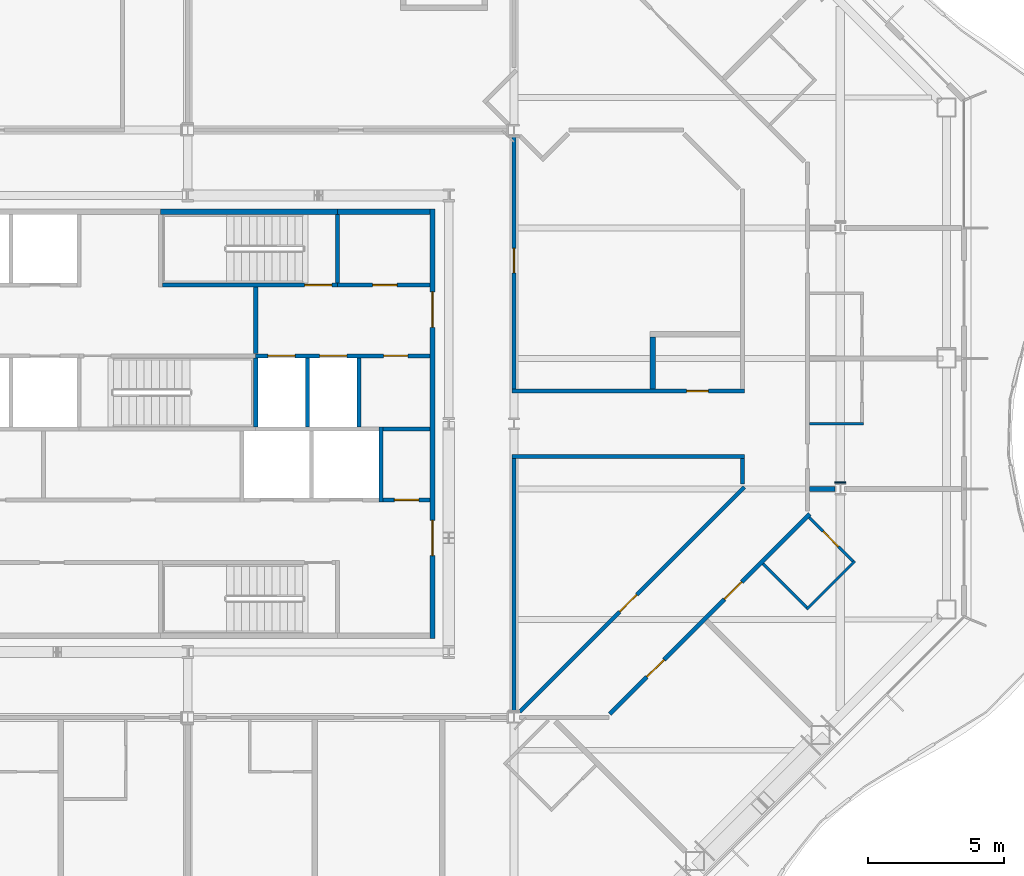
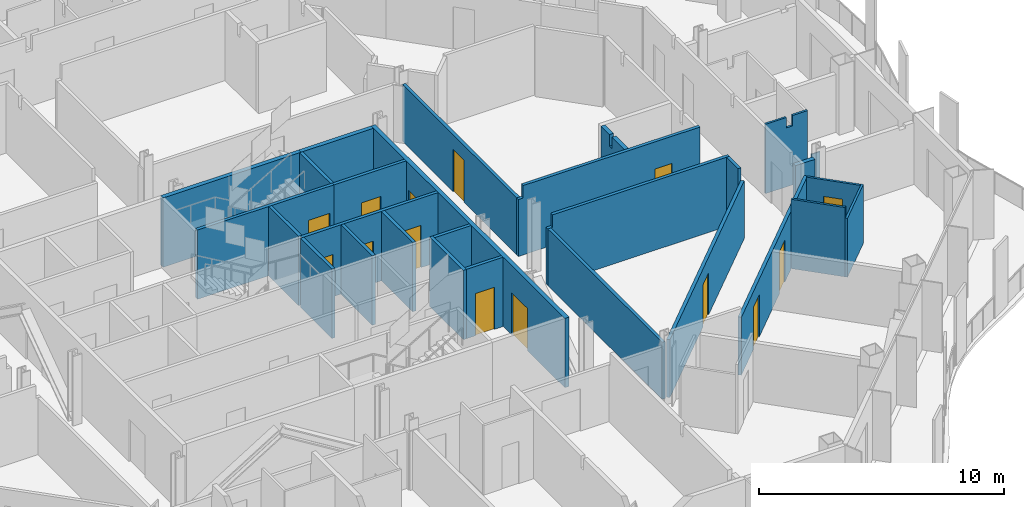
# One storey, part 10 of 21: 28 walls, 14 doors, 14 openings.
"""IFC4 building model written with IfcOpenShell, lengths in metres."""

from ifc_helpers import new_model, si_unit, direction, frame, frame_2d, origin, place, context, subcontext, project, spatial, polyline, rectangle, outline, extrude, material, layer, layer_set, type_object, element, fill, save


model = new_model("IFC4")

# Units and contexts
model_context = context("Model", 3, precision=1e-05, world=origin(), true_north=direction((0.0, 1.0)))
body_context = subcontext(model_context, "Body", "Model", "MODEL_VIEW")
ifc_project = project(units=[si_unit("LENGTHUNIT", "METRE"), si_unit("AREAUNIT", "SQUARE_METRE"), si_unit("VOLUMEUNIT", "CUBIC_METRE"), si_unit("PLANEANGLEUNIT", "RADIAN"), si_unit("MASSUNIT", "GRAM", prefix="KILO")], contexts=[model_context])

# Site, building, storey
site_placement = place(None, origin())
site = spatial("IfcSite", under=ifc_project, at=site_placement, CompositionType="ELEMENT")
building_placement = place(site_placement, origin())
building = spatial("IfcBuilding", under=site, at=building_placement, Name="Cairn Pilgrim Tower", CompositionType="ELEMENT")
storey_placement = place(building_placement, frame((0.0, 0.0, 139.800048828125)))
storey = spatial("IfcBuildingStorey", under=building, at=storey_placement, Name="L34", CompositionType="ELEMENT", Elevation=139.800048828125)

# Wall
ifc_material_1 = material(Name="Concrete C32/40", Category="concrete")
ifc_layer_1 = layer(ifc_material_1, 0.199951171875)
ifc_layer_set_1 = layer_set([ifc_layer_1], Name="CORE OUTER WALL 200 EI 120")
wall_type_1 = type_object("IfcWallType", Name="CORE OUTER WALL 200 EI 120", PredefinedType="SOLIDWALL", material=ifc_layer_set_1)
wall_1_placement = place(storey_placement, frame((12.699951171875, 10.199951171875, 0.0), z_axis=(0.0, 0.0, 1.0), x_axis=(1.0, 0.0, 0.0)))
element("IfcWall", 1, at=wall_1_placement, inside=storey, type_object=wall_type_1, Name="CW:L34:H12-3", PredefinedType="SOLIDWALL", context=body_context, shape_type="SweptSolid", body=[
    extrude(rectangle(XDim=3.400146484375, YDim=0.199951171875, at=frame_2d((1.7001953125, 0.0))), origin(), (0.0, 0.0, 1.0), 3.449951171875),
])

# Wall, openings, doors
wall_2_placement = place(storey_placement, frame((16.199951171875, -5.5, 0.0), z_axis=(0.0, 0.0, 1.0), x_axis=(0.0, 1.0, 0.0)))
wall_2 = element("IfcWall", 2, at=wall_2_placement, inside=storey, type_object=wall_type_1, Name="CW:L34:V30", PredefinedType="SOLIDWALL", context=body_context, shape_type="SweptSolid", body=[
    extrude(rectangle(XDim=15.800048828125, YDim=0.199951171875, at=frame_2d((7.89990234375, 0.0))), origin(), (0.0, 0.0, 1.0), 3.449951171875),
])
opening_1_placement = place(wall_2_placement, frame((3.050048828125, 0.0, 0.0)))
opening_1 = element("IfcOpeningElement", 3, at=opening_1_placement, cuts=wall_2, Name="Opening CD-E1", PredefinedType="OPENING", context=body_context, shape_type="SweptSolid", body=[
    extrude(rectangle(XDim=1.300048828125, YDim=2.10009765625, at=frame_2d((0.64990234375, 1.050048828125))), frame((0.0, 0.10986328125, 0.0), z_axis=(0.0, -1.0, 0.0), x_axis=(1.0, 0.0, 0.0)), (0.0, 0.0, 1.0), 0.219970703125),
])
opening_2_placement = place(wall_2_placement, frame((11.449951171875, 0.0, 0.0)))
opening_2 = element("IfcOpeningElement", 4, at=opening_2_placement, cuts=wall_2, Name="Opening CD-E2", PredefinedType="OPENING", context=body_context, shape_type="SweptSolid", body=[
    extrude(rectangle(XDim=1.300048828125, YDim=2.10009765625, at=frame_2d((0.64990234375, 1.050048828125))), frame((0.0, 0.10986328125, 0.0), z_axis=(0.0, -1.0, 0.0), x_axis=(1.0, 0.0, 0.0)), (0.0, 0.0, 1.0), 0.219970703125),
])
ifc_material_2 = material(Name="Painted steel", Category="steel")
door_type_1 = type_object("IfcDoorType", Name="CORE LOBBY DOOR 1300x2100", OperationType="DOUBLE_DOOR_SINGLE_SWING", PredefinedType="DOOR", material=ifc_material_2)
door_1_placement = place(opening_1_placement, origin())
door_1 = element("IfcDoor", 5, at=door_1_placement, inside=storey, type_object=door_type_1, Name="CD-E1", OperationType="DOUBLE_DOOR_SINGLE_SWING", OverallHeight=2.10009765625, OverallWidth=1.300048828125, PredefinedType="DOOR", context=body_context, shape_type="SweptSolid", body=[
    extrude(rectangle(XDim=1.300048828125, YDim=2.10009765625, at=frame_2d((0.64990234375, 1.050048828125))), frame((0.0, 0.02490234375, 0.0), z_axis=(0.0, -1.0, 0.0), x_axis=(1.0, 0.0, 0.0)), (0.0, 0.0, 1.0), 0.050048828125),
])
fill(opening_1, door_1)
door_2_placement = place(opening_2_placement, origin())
door_2 = element("IfcDoor", 6, at=door_2_placement, inside=storey, type_object=door_type_1, Name="CD-E2", OperationType="DOUBLE_DOOR_SINGLE_SWING", OverallHeight=2.10009765625, OverallWidth=1.300048828125, PredefinedType="DOOR", context=body_context, shape_type="SweptSolid", body=[
    extrude(rectangle(XDim=1.300048828125, YDim=2.10009765625, at=frame_2d((0.64990234375, 1.050048828125))), frame((0.0, 0.02490234375, 0.0), z_axis=(0.0, -1.0, 0.0), x_axis=(1.0, 0.0, 0.0)), (0.0, 0.0, 1.0), 0.050048828125),
])
fill(opening_2, door_2)

# Wall, opening, door
ifc_layer_2 = layer(ifc_material_1, 0.14990234375)
ifc_layer_set_2 = layer_set([ifc_layer_2], Name="CORE PARTITION 150 EI 60")
wall_type_2 = type_object("IfcWallType", Name="CORE PARTITION 150 EI 60", PredefinedType="PARTITIONING", material=ifc_layer_set_2)
wall_3_placement = place(storey_placement, frame((14.375, -0.39990234375, 0.0), z_axis=(0.0, 0.0, 1.0), x_axis=(1.0, 0.0, 0.0)))
wall_3 = element("IfcWall", 7, at=wall_3_placement, inside=storey, type_object=wall_type_2, Name="CW:L34:H06", PredefinedType="PARTITIONING", context=body_context, shape_type="SweptSolid", body=[
    extrude(rectangle(XDim=1.72509765625, YDim=0.14990234375, at=frame_2d((0.862548828125, 0.0))), origin(), (0.0, 0.0, 1.0), 3.449951171875),
])
opening_3_placement = place(wall_3_placement, frame((0.425048828125, 0.0, 0.0)))
opening_3 = element("IfcOpeningElement", 8, at=opening_3_placement, cuts=wall_3, Name="Opening RD-R2E", PredefinedType="OPENING", context=body_context, shape_type="SweptSolid", body=[
    extrude(rectangle(XDim=0.89990234375, YDim=2.10009765625, at=frame_2d((0.449951171875, 1.050048828125))), frame((0.0, 0.0849609375, 0.0), z_axis=(0.0, -1.0, 0.0), x_axis=(1.0, 0.0, 0.0)), (0.0, 0.0, 1.0), 0.169921875),
])
door_type_2 = type_object("IfcDoorType", Name="SERVICE ROOM DOOR 900x2100", OperationType="SINGLE_SWING_LEFT", PredefinedType="DOOR", material=ifc_material_2)
door_3_placement = place(opening_3_placement, origin())
door_3 = element("IfcDoor", 9, at=door_3_placement, inside=storey, type_object=door_type_2, Name="RD-R2E", OperationType="SINGLE_SWING_RIGHT", OverallHeight=2.10009765625, OverallWidth=0.89990234375, PredefinedType="DOOR", context=body_context, shape_type="SweptSolid", body=[
    extrude(rectangle(XDim=0.89990234375, YDim=2.10009765625, at=frame_2d((0.449951171875, 1.050048828125))), frame((0.0, 0.02490234375, 0.0), z_axis=(0.0, -1.0, 0.0), x_axis=(1.0, 0.0, 0.0)), (0.0, 0.0, 1.0), 0.050048828125),
])
fill(opening_3, door_3)

# Wall
wall_4_placement = place(storey_placement, frame((14.375, 2.199951171875, 0.0), z_axis=(0.0, 0.0, 1.0), x_axis=(1.0, 0.0, 0.0)))
element("IfcWall", 10, at=wall_4_placement, inside=storey, type_object=wall_type_2, Name="CW:L34:H08", PredefinedType="PARTITIONING", context=body_context, shape_type="SweptSolid", body=[
    extrude(rectangle(XDim=1.72509765625, YDim=0.14990234375, at=frame_2d((0.862548828125, 0.0))), origin(), (0.0, 0.0, 1.0), 3.449951171875),
])

# Wall, openings, doors
ifc_layer_3 = layer(ifc_material_1, 0.14990234375)
ifc_layer_set_3 = layer_set([ifc_layer_3], Name="CORE SHAFT WALL 150 EI 120")
wall_type_3 = type_object("IfcWallType", Name="CORE SHAFT WALL 150 EI 120", PredefinedType="SOLIDWALL", material=ifc_layer_set_3)
wall_5_placement = place(storey_placement, frame((9.699951171875, 4.89990234375, 0.0), z_axis=(0.0, 0.0, 1.0), x_axis=(1.0, 0.0, 0.0)))
wall_5 = element("IfcWall", 11, at=wall_5_placement, inside=storey, type_object=wall_type_3, Name="CW:L34:H09-3", PredefinedType="SOLIDWALL", context=body_context, shape_type="SweptSolid", body=[
    extrude(rectangle(XDim=6.400146484375, YDim=0.14990234375, at=frame_2d((3.2001953125, 0.0))), origin(), (0.0, 0.0, 1.0), 3.449951171875),
])
opening_4_placement = place(wall_5_placement, frame((0.449951171875, 0.0, 0.0)))
opening_4 = element("IfcOpeningElement", 12, at=opening_4_placement, cuts=wall_5, Name="Opening LD-FF1", PredefinedType="OPENING", context=body_context, shape_type="SweptSolid", body=[
    extrude(rectangle(XDim=1.0, YDim=2.10009765625, at=frame_2d((0.5, 1.050048828125))), frame((0.0, 0.0849609375, 0.0), z_axis=(0.0, -1.0, 0.0), x_axis=(1.0, 0.0, 0.0)), (0.0, 0.0, 1.0), 0.169921875),
])
opening_5_placement = place(wall_5_placement, frame((2.35009765625, 0.0, 0.0)))
opening_5 = element("IfcOpeningElement", 13, at=opening_5_placement, cuts=wall_5, Name="Opening LD-FF2", PredefinedType="OPENING", context=body_context, shape_type="SweptSolid", body=[
    extrude(rectangle(XDim=1.0, YDim=2.10009765625, at=frame_2d((0.5, 1.050048828125))), frame((0.0, 0.0849609375, 0.0), z_axis=(0.0, -1.0, 0.0), x_axis=(1.0, 0.0, 0.0)), (0.0, 0.0, 1.0), 0.169921875),
])
opening_6_placement = place(wall_5_placement, frame((4.699951171875, 0.0, 0.0)))
opening_6 = element("IfcOpeningElement", 14, at=opening_6_placement, cuts=wall_5, Name="Opening RD-R3E", PredefinedType="OPENING", context=body_context, shape_type="SweptSolid", body=[
    extrude(rectangle(XDim=0.89990234375, YDim=2.10009765625, at=frame_2d((0.449951171875, 1.050048828125))), frame((0.0, 0.0849609375, 0.0), z_axis=(0.0, -1.0, 0.0), x_axis=(1.0, 0.0, 0.0)), (0.0, 0.0, 1.0), 0.169921875),
])
ifc_material_3 = material(Name="Stainless steel", Category="steel")
door_type_3 = type_object("IfcDoorType", Name="LIFT LANDING DOOR FIRE 1000x2100", OperationType="DOUBLE_DOOR_SLIDING", PredefinedType="DOOR", material=ifc_material_3)
door_4_placement = place(opening_4_placement, origin())
door_4 = element("IfcDoor", 15, at=door_4_placement, inside=storey, type_object=door_type_3, Name="LANDING DOOR FF1", OperationType="DOUBLE_DOOR_SLIDING", OverallHeight=2.10009765625, OverallWidth=1.0, PredefinedType="DOOR", context=body_context, shape_type="SweptSolid", body=[
    extrude(rectangle(XDim=1.0, YDim=2.10009765625, at=frame_2d((0.5, 1.050048828125))), frame((0.0, 0.02490234375, 0.0), z_axis=(0.0, -1.0, 0.0), x_axis=(1.0, 0.0, 0.0)), (0.0, 0.0, 1.0), 0.050048828125),
])
fill(opening_4, door_4)
door_5_placement = place(opening_5_placement, origin())
door_5 = element("IfcDoor", 16, at=door_5_placement, inside=storey, type_object=door_type_3, Name="LANDING DOOR FF2", OperationType="DOUBLE_DOOR_SLIDING", OverallHeight=2.10009765625, OverallWidth=1.0, PredefinedType="DOOR", context=body_context, shape_type="SweptSolid", body=[
    extrude(rectangle(XDim=1.0, YDim=2.10009765625, at=frame_2d((0.5, 1.050048828125))), frame((0.0, 0.02490234375, 0.0), z_axis=(0.0, -1.0, 0.0), x_axis=(1.0, 0.0, 0.0)), (0.0, 0.0, 1.0), 0.050048828125),
])
fill(opening_5, door_5)
door_6_placement = place(opening_6_placement, origin())
door_6 = element("IfcDoor", 17, at=door_6_placement, inside=storey, type_object=door_type_2, Name="RD-R3E", OperationType="SINGLE_SWING_LEFT", OverallHeight=2.10009765625, OverallWidth=0.89990234375, PredefinedType="DOOR", context=body_context, shape_type="SweptSolid", body=[
    extrude(rectangle(XDim=0.89990234375, YDim=2.10009765625, at=frame_2d((0.449951171875, 1.050048828125))), frame((0.0, 0.02490234375, 0.0), z_axis=(0.0, -1.0, 0.0), x_axis=(1.0, 0.0, 0.0)), (0.0, 0.0, 1.0), 0.050048828125),
])
fill(opening_6, door_6)

# Wall, opening, door
wall_6_placement = place(storey_placement, frame((12.699951171875, 7.5, 0.0), z_axis=(0.0, 0.0, 1.0), x_axis=(1.0, 0.0, 0.0)))
wall_6 = element("IfcWall", 18, at=wall_6_placement, inside=storey, type_object=wall_type_3, Name="CW:L34:H11-2", PredefinedType="SOLIDWALL", context=body_context, shape_type="SweptSolid", body=[
    extrude(rectangle(XDim=3.400146484375, YDim=0.14990234375, at=frame_2d((1.7001953125, 0.0))), origin(), (0.0, 0.0, 1.0), 3.449951171875),
])
opening_7_placement = place(wall_6_placement, frame((1.300048828125, 0.0, 0.0)))
opening_7 = element("IfcOpeningElement", 19, at=opening_7_placement, cuts=wall_6, Name="Opening RD-R4E", PredefinedType="OPENING", context=body_context, shape_type="SweptSolid", body=[
    extrude(rectangle(XDim=0.89990234375, YDim=2.10009765625, at=frame_2d((0.449951171875, 1.050048828125))), frame((0.0, 0.0849609375, 0.0), z_axis=(0.0, -1.0, 0.0), x_axis=(1.0, 0.0, 0.0)), (0.0, 0.0, 1.0), 0.169921875),
])
door_7_placement = place(opening_7_placement, origin())
door_7 = element("IfcDoor", 20, at=door_7_placement, inside=storey, type_object=door_type_2, Name="RD-R4E", OperationType="SINGLE_SWING_RIGHT", OverallHeight=2.10009765625, OverallWidth=0.89990234375, PredefinedType="DOOR", context=body_context, shape_type="SweptSolid", body=[
    extrude(rectangle(XDim=0.89990234375, YDim=2.10009765625, at=frame_2d((0.449951171875, 1.050048828125))), frame((0.0, 0.02490234375, 0.0), z_axis=(0.0, -1.0, 0.0), x_axis=(1.0, 0.0, 0.0)), (0.0, 0.0, 1.0), 0.050048828125),
])
fill(opening_7, door_7)

# Walls
wall_7_placement = place(storey_placement, frame((9.699951171875, 4.97509765625, 0.0), z_axis=(0.0, 0.0, 1.0), x_axis=(0.0, 1.0, 0.0)))
element("IfcWall", 21, at=wall_7_placement, inside=storey, type_object=wall_type_3, Name="CW:L34:V23", PredefinedType="SOLIDWALL", context=body_context, shape_type="SweptSolid", body=[
    extrude(rectangle(XDim=2.449951171875, YDim=0.14990234375, at=frame_2d((1.22509765625, 0.0))), origin(), (0.0, 0.0, 1.0), 3.449951171875),
])
for number, where, z_axis, x_axis, name in (
    (22, (11.60009765625, 2.27490234375, 0.0), (0.0, 0.0, 1.0), (0.0, 1.0, 0.0), "CW:L34:V24"),
    (23, (13.5, 2.27490234375, 0.0), (0.0, 0.0, 1.0), (0.0, 1.0, 0.0), "CW:L34:V28"),
):
    element("IfcWall", number, at=place(storey_placement, frame(where, z_axis=z_axis, x_axis=x_axis)), inside=storey, type_object=wall_type_3, Name=name, PredefinedType="SOLIDWALL", context=body_context, shape_type="SweptSolid", body=[
        extrude(rectangle(XDim=2.550048828125, YDim=0.14990234375, at=frame_2d((1.27490234375, 0.0))), origin(), (0.0, 0.0, 1.0), 3.449951171875),
    ])
wall_8_placement = place(storey_placement, frame((14.300048828125, -0.47509765625, 0.0), z_axis=(0.0, 0.0, 1.0), x_axis=(0.0, 1.0, 0.0)))
element("IfcWall", 24, at=wall_8_placement, inside=storey, type_object=wall_type_3, Name="CW:L34:V29", PredefinedType="SOLIDWALL", context=body_context, shape_type="SweptSolid", body=[
    extrude(rectangle(XDim=2.75, YDim=0.14990234375, at=frame_2d((1.375, 0.0))), origin(), (0.0, 0.0, 1.0), 3.449951171875),
])
ifc_material_4 = material(Name="Gypsum partition")
ifc_layer_4 = layer(ifc_material_4, 0.10009765625)
ifc_layer_set_4 = layer_set([ifc_layer_4], Name="PARTITION 100 DRYWALL")
wall_type_4 = type_object("IfcWallType", Name="PARTITION 100 DRYWALL", PredefinedType="PARTITIONING", material=ifc_layer_set_4)
wall_9_placement = place(storey_placement, frame((29.964599609375, -4.3525390625, 0.0), z_axis=(0.0, 0.0, 1.0), x_axis=(-0.707106781187, 0.707106781187, 0.0)))
element("IfcWall", 25, at=wall_9_placement, inside=storey, type_object=wall_type_4, Name="PARTITION W037", PredefinedType="PARTITIONING", context=body_context, shape_type="SweptSolid", body=[
    extrude(rectangle(XDim=2.27490234375, YDim=0.10009765625, at=frame_2d((1.137451171875, 0.0))), origin(), (0.0, 0.0, 1.0), 3.449951171875),
])
wall_10_placement = place(storey_placement, frame((29.964599609375, -4.42333984375, 0.0), z_axis=(0.0, 0.0, 1.0), x_axis=(0.707155609469, 0.707057949532, 0.0)))
element("IfcWall", 26, at=wall_10_placement, inside=storey, type_object=wall_type_4, Name="PARTITION W038", PredefinedType="PARTITIONING", context=body_context, shape_type="SweptSolid", body=[
    extrude(rectangle(XDim=2.5, YDim=0.10009765625, at=frame_2d((1.25, 0.0))), origin(), (0.0, 0.0, 1.0), 2.929931640625),
])

# Wall, opening, door
wall_11_placement = place(storey_placement, frame((31.66162109375, -2.655517578125, 0.0), z_axis=(0.0, 0.0, 1.0), x_axis=(-0.707160441348, 0.707053116953, 0.0)))
wall_11 = element("IfcWall", 27, at=wall_11_placement, inside=storey, type_object=wall_type_4, Name="PARTITION W040", PredefinedType="PARTITIONING", context=body_context, shape_type="SweptSolid", body=[
    extrude(rectangle(XDim=2.27490234375, YDim=0.10009765625, at=frame_2d((1.137451171875, 0.0))), origin(), (0.0, 0.0, 1.0), 2.929931640625),
])
opening_8_placement = place(wall_11_placement, frame((0.75, 0.0, 0.0)))
opening_8 = element("IfcOpeningElement", 28, at=opening_8_placement, cuts=wall_11, Name="Opening 3405A", PredefinedType="OPENING", context=body_context, shape_type="SweptSolid", body=[
    extrude(rectangle(XDim=0.800048828125, YDim=2.10009765625, at=frame_2d((0.39990234375, 1.050048828125))), frame((0.0, 0.06005859375, 0.0), z_axis=(0.0, -1.0, 0.0), x_axis=(1.0, 0.0, 0.0)), (0.0, 0.0, 1.0), 0.1201171875),
])
ifc_material_5 = material(Name="Timber door leaf", Category="wood")
door_type_4 = type_object("IfcDoorType", Name="WC DOOR 800x2100", OperationType="NOTDEFINED", PredefinedType="DOOR", material=ifc_material_5)
door_8_placement = place(opening_8_placement, frame((0.800048828125, 0.0, 0.0), z_axis=(0.0, 0.0, 1.0), x_axis=(-1.0, 0.0, 0.0)))
door_8 = element("IfcDoor", 29, at=door_8_placement, inside=storey, type_object=door_type_4, Name="DOOR 3405A", OperationType="SINGLE_SWING_LEFT", OverallHeight=2.10009765625, OverallWidth=0.800048828125, PredefinedType="DOOR", context=body_context, shape_type="SweptSolid", body=[
    extrude(rectangle(XDim=0.800048828125, YDim=2.10009765625, at=frame_2d((0.39990234375, 1.050048828125))), frame((0.0, 0.02490234375, 0.0), z_axis=(0.0, -1.0, 0.0), x_axis=(1.0, 0.0, 0.0)), (0.0, 0.0, 1.0), 0.050048828125),
])
fill(opening_8, door_8)

# Wall
wall_12_placement = place(storey_placement, frame((30.074951171875, 2.39990234375, 0.0), z_axis=(0.0, 0.0, 1.0), x_axis=(1.0, 0.0, 0.0)))
element("IfcWall", 30, at=wall_12_placement, inside=storey, type_object=wall_type_4, Name="PARTITION W049", PredefinedType="PARTITIONING", context=body_context, shape_type="SweptSolid", body=[
    extrude(outline(polyline([(0.0, 0.0), (1.97509765625, 0.0), (1.97509765625, 3.449951171875), (1.27490234375, 3.449951171875), (1.27294921875, 2.929931640625), (0.97509765625, 2.929931640625), (0.972900390625, 3.449951171875), (0.0, 3.449951171875), (0.0, 0.0)])), frame((0.0, 0.050048828125, 0.0), z_axis=(0.0, -1.0, 0.0), x_axis=(1.0, 0.0, 0.0)), (0.0, 0.0, 1.0), 0.10009765625),
])

# Wall, openings, doors
ifc_layer_5 = layer(ifc_material_4, 0.14990234375)
ifc_layer_set_5 = layer_set([ifc_layer_5], Name="PARTITION 150 DRYWALL EI 60")
wall_type_5 = type_object("IfcWallType", Name="PARTITION 150 DRYWALL EI 60", PredefinedType="PARTITIONING", material=ifc_layer_set_5)
wall_13_placement = place(storey_placement, frame((22.721923828125, -8.27197265625, 0.0), z_axis=(0.0, 0.0, 1.0), x_axis=(0.707106781187, 0.707106781187, 0.0)))
wall_13 = element("IfcWall", 31, at=wall_13_placement, inside=storey, type_object=wall_type_5, Name="PARTITION W030", PredefinedType="PARTITIONING", context=body_context, shape_type="SweptSolid", body=[
    extrude(rectangle(XDim=10.398681640625, YDim=0.14990234375, at=frame_2d((5.19921875, 0.0))), origin(), (0.0, 0.0, 1.0), 2.8798828125),
])
opening_9_placement = place(wall_13_placement, frame((1.92529296875, 0.0, 0.0)))
opening_9 = element("IfcOpeningElement", 32, at=opening_9_placement, cuts=wall_13, Name="Opening 3404", PredefinedType="OPENING", context=body_context, shape_type="SweptSolid", body=[
    extrude(rectangle(XDim=0.89990234375, YDim=2.10009765625, at=frame_2d((0.449951171875, 1.050048828125))), frame((0.0, 0.0849609375, 0.0), z_axis=(0.0, -1.0, 0.0), x_axis=(1.0, 0.0, 0.0)), (0.0, 0.0, 1.0), 0.169921875),
])
opening_10_placement = place(wall_13_placement, frame((5.962646484375, 0.0, 0.0)))
opening_10 = element("IfcOpeningElement", 33, at=opening_10_placement, cuts=wall_13, Name="Opening 3405", PredefinedType="OPENING", context=body_context, shape_type="SweptSolid", body=[
    extrude(rectangle(XDim=0.89990234375, YDim=2.10009765625, at=frame_2d((0.449951171875, 1.050048828125))), frame((0.0, 0.0849609375, 0.0), z_axis=(0.0, -1.0, 0.0), x_axis=(1.0, 0.0, 0.0)), (0.0, 0.0, 1.0), 0.169921875),
])
door_type_5 = type_object("IfcDoorType", Name="ROOM DOOR 900x2100 FD30S", OperationType="NOTDEFINED", PredefinedType="DOOR", material=ifc_material_5)
door_9_placement = place(opening_10_placement, frame((0.89990234375, 0.0, 0.0), z_axis=(0.0, 0.0, 1.0), x_axis=(-1.0, 0.0, 0.0)))
door_9 = element("IfcDoor", 34, at=door_9_placement, inside=storey, type_object=door_type_5, Name="DOOR 3405", OperationType="SINGLE_SWING_LEFT", OverallHeight=2.10009765625, OverallWidth=0.89990234375, PredefinedType="DOOR", context=body_context, shape_type="SweptSolid", body=[
    extrude(rectangle(XDim=0.89990234375, YDim=2.10009765625, at=frame_2d((0.449951171875, 1.050048828125))), frame((0.0, 0.02490234375, 0.0), z_axis=(0.0, -1.0, 0.0), x_axis=(1.0, 0.0, 0.0)), (0.0, 0.0, 1.0), 0.050048828125),
])
fill(opening_10, door_9)
door_type_6 = type_object("IfcDoorType", Name="SERVICE DOOR 900x2100 FD30S", OperationType="NOTDEFINED", PredefinedType="DOOR", material=ifc_material_5)
door_10_placement = place(opening_9_placement, frame((0.89990234375, 0.0, 0.0), z_axis=(0.0, 0.0, 1.0), x_axis=(-1.0, 0.0, 0.0)))
door_10 = element("IfcDoor", 35, at=door_10_placement, inside=storey, type_object=door_type_6, Name="DOOR 3404", OperationType="SINGLE_SWING_LEFT", OverallHeight=2.10009765625, OverallWidth=0.89990234375, PredefinedType="DOOR", context=body_context, shape_type="SweptSolid", body=[
    extrude(rectangle(XDim=0.89990234375, YDim=2.10009765625, at=frame_2d((0.449951171875, 1.050048828125))), frame((0.0, 0.02490234375, 0.0), z_axis=(0.0, -1.0, 0.0), x_axis=(1.0, 0.0, 0.0)), (0.0, 0.0, 1.0), 0.050048828125),
])
fill(opening_9, door_10)

# Wall
wall_14_placement = place(storey_placement, frame((19.199951171875, -8.1875, 0.0), z_axis=(0.0, 0.0, 1.0), x_axis=(0.0, 1.0, 0.0)))
element("IfcWall", 36, at=wall_14_placement, inside=storey, type_object=wall_type_5, Name="PARTITION W033", PredefinedType="PARTITIONING", context=body_context, shape_type="SweptSolid", body=[
    extrude(rectangle(XDim=9.3125, YDim=0.14990234375, at=frame_2d((4.65625, 0.0))), origin(), (0.0, 0.0, 1.0), 2.829833984375),
])

# Wall, opening, door
wall_15_placement = place(storey_placement, frame((19.408447265625, -8.19140625, 0.0), z_axis=(0.0, 0.0, 1.0), x_axis=(0.707117222888, 0.707096339331, 0.0)))
wall_15 = element("IfcWall", 37, at=wall_15_placement, inside=storey, type_object=wall_type_5, Name="PARTITION W034", PredefinedType="PARTITIONING", context=body_context, shape_type="SweptSolid", body=[
    extrude(rectangle(XDim=11.690673828125, YDim=0.14990234375, at=frame_2d((5.84521484375, 0.0))), origin(), (0.0, 0.0, 1.0), 2.8798828125),
])
opening_11_placement = place(wall_15_placement, frame((5.195068359375, 0.0, 0.0)))
opening_11 = element("IfcOpeningElement", 38, at=opening_11_placement, cuts=wall_15, Name="Opening 3425", PredefinedType="OPENING", context=body_context, shape_type="SweptSolid", body=[
    extrude(rectangle(XDim=0.89990234375, YDim=2.10009765625, at=frame_2d((0.449951171875, 1.050048828125))), frame((0.0, 0.0849609375, 0.0), z_axis=(0.0, -1.0, 0.0), x_axis=(1.0, 0.0, 0.0)), (0.0, 0.0, 1.0), 0.169921875),
])
door_11_placement = place(opening_11_placement, origin())
door_11 = element("IfcDoor", 39, at=door_11_placement, inside=storey, type_object=door_type_6, Name="DOOR 3425", OperationType="SINGLE_SWING_LEFT", OverallHeight=2.10009765625, OverallWidth=0.89990234375, PredefinedType="DOOR", context=body_context, shape_type="SweptSolid", body=[
    extrude(rectangle(XDim=0.89990234375, YDim=2.10009765625, at=frame_2d((0.449951171875, 1.050048828125))), frame((0.0, 0.02490234375, 0.0), z_axis=(0.0, -1.0, 0.0), x_axis=(1.0, 0.0, 0.0)), (0.0, 0.0, 1.0), 0.050048828125),
])
fill(opening_11, door_11)

# Walls
wall_16_placement = place(storey_placement, frame((27.60009765625, 0.18115234375, 0.0), z_axis=(0.0, 0.0, 1.0), x_axis=(0.0, 1.0, 0.0)))
element("IfcWall", 40, at=wall_16_placement, inside=storey, type_object=wall_type_5, Name="PARTITION W046", PredefinedType="PARTITIONING", context=body_context, shape_type="SweptSolid", body=[
    extrude(rectangle(XDim=0.94384765625, YDim=0.14990234375, at=frame_2d((0.471923828125, 0.0))), origin(), (0.0, 0.0, 1.0), 3.449951171875),
])
wall_17_placement = place(storey_placement, frame((19.125, 1.199951171875, 0.0), z_axis=(0.0, 0.0, 1.0), x_axis=(1.0, 0.0, 0.0)))
element("IfcWall", 41, at=wall_17_placement, inside=storey, type_object=wall_type_5, Name="PARTITION W048", PredefinedType="PARTITIONING", context=body_context, shape_type="SweptSolid", body=[
    extrude(outline(polyline([(0.0, 0.0), (8.550048828125, 0.0), (8.550048828125, 3.449951171875), (0.22509765625, 3.449951171875), (0.222900390625, 2.829833984375), (0.0, 2.829833984375), (0.0, 0.0)])), frame((0.0, 0.074951171875, 0.0), z_axis=(0.0, -1.0, 0.0), x_axis=(1.0, 0.0, 0.0)), (0.0, 0.0, 1.0), 0.14990234375),
])

# Wall, opening, door
wall_18_placement = place(storey_placement, frame((19.125, 3.60009765625, 0.0), z_axis=(0.0, 0.0, 1.0), x_axis=(1.0, 0.0, 0.0)))
wall_18 = element("IfcWall", 42, at=wall_18_placement, inside=storey, type_object=wall_type_5, Name="PARTITION W052", PredefinedType="PARTITIONING", context=body_context, shape_type="SweptSolid", body=[
    extrude(outline(polyline([(0.0, 0.0), (8.550048828125, 0.0), (8.550048828125, 3.449951171875), (0.22509765625, 3.449951171875), (0.222900390625, 2.829833984375), (0.0, 2.829833984375), (0.0, 0.0)])), frame((0.0, 0.074951171875, 0.0), z_axis=(0.0, -1.0, 0.0), x_axis=(1.0, 0.0, 0.0)), (0.0, 0.0, 1.0), 0.14990234375),
])
opening_12_placement = place(wall_18_placement, frame((6.425048828125, 0.0, 0.0)))
opening_12 = element("IfcOpeningElement", 43, at=opening_12_placement, cuts=wall_18, Name="Opening 3424", PredefinedType="OPENING", context=body_context, shape_type="SweptSolid", body=[
    extrude(rectangle(XDim=0.800048828125, YDim=2.10009765625, at=frame_2d((0.39990234375, 1.050048828125))), frame((0.0, 0.0849609375, 0.0), z_axis=(0.0, -1.0, 0.0), x_axis=(1.0, 0.0, 0.0)), (0.0, 0.0, 1.0), 0.169921875),
])
door_type_7 = type_object("IfcDoorType", Name="WC DOOR 800x2100 FD30S", OperationType="NOTDEFINED", PredefinedType="DOOR", material=ifc_material_5)
door_12_placement = place(opening_12_placement, origin())
door_12 = element("IfcDoor", 44, at=door_12_placement, inside=storey, type_object=door_type_7, Name="DOOR 3424", OperationType="SINGLE_SWING_LEFT", OverallHeight=2.10009765625, OverallWidth=0.800048828125, PredefinedType="DOOR", context=body_context, shape_type="SweptSolid", body=[
    extrude(rectangle(XDim=0.800048828125, YDim=2.10009765625, at=frame_2d((0.39990234375, 1.050048828125))), frame((0.0, 0.02490234375, 0.0), z_axis=(0.0, -1.0, 0.0), x_axis=(1.0, 0.0, 0.0)), (0.0, 0.0, 1.0), 0.050048828125),
])
fill(opening_12, door_12)

wall_19_placement = place(storey_placement, frame((19.199951171875, 3.675048828125, 0.0), z_axis=(0.0, 0.0, 1.0), x_axis=(0.0, 1.0, 0.0)))
wall_19 = element("IfcWall", 45, at=wall_19_placement, inside=storey, type_object=wall_type_5, Name="PARTITION W055", PredefinedType="PARTITIONING", context=body_context, shape_type="SweptSolid", body=[
    extrude(rectangle(XDim=9.3125, YDim=0.14990234375, at=frame_2d((4.65625, 0.0))), origin(), (0.0, 0.0, 1.0), 2.829833984375),
])
opening_13_placement = place(wall_19_placement, frame((4.27490234375, 0.0, 0.0)))
opening_13 = element("IfcOpeningElement", 46, at=opening_13_placement, cuts=wall_19, Name="Opening 3426", PredefinedType="OPENING", context=body_context, shape_type="SweptSolid", body=[
    extrude(rectangle(XDim=0.89990234375, YDim=2.10009765625, at=frame_2d((0.449951171875, 1.050048828125))), frame((0.0, 0.0849609375, 0.0), z_axis=(0.0, -1.0, 0.0), x_axis=(1.0, 0.0, 0.0)), (0.0, 0.0, 1.0), 0.169921875),
])
door_13_placement = place(opening_13_placement, frame((0.89990234375, 0.0, 0.0), z_axis=(0.0, 0.0, 1.0), x_axis=(-1.0, 0.0, 0.0)))
door_13 = element("IfcDoor", 47, at=door_13_placement, inside=storey, type_object=door_type_6, Name="DOOR 3426", OperationType="SINGLE_SWING_LEFT", OverallHeight=2.10009765625, OverallWidth=0.89990234375, PredefinedType="DOOR", context=body_context, shape_type="SweptSolid", body=[
    extrude(rectangle(XDim=0.89990234375, YDim=2.10009765625, at=frame_2d((0.449951171875, 1.050048828125))), frame((0.0, 0.02490234375, 0.0), z_axis=(0.0, -1.0, 0.0), x_axis=(1.0, 0.0, 0.0)), (0.0, 0.0, 1.0), 0.050048828125),
])
fill(opening_13, door_13)

# Walls
ifc_layer_6 = layer(ifc_material_4, 0.050048828125)
ifc_layer_set_6 = layer_set([ifc_layer_6], Name="PARTITION 50 DRYWALL EI 60")
wall_type_6 = type_object("IfcWallType", Name="PARTITION 50 DRYWALL EI 60", PredefinedType="PARTITIONING", material=ifc_layer_set_6)
wall_20_placement = place(storey_placement, frame((30.99560546875, 0.237548828125, 0.0), z_axis=(0.0, 0.0, 1.0), x_axis=(1.0, 0.0, 0.0)))
element("IfcWall", 48, at=wall_20_placement, inside=storey, type_object=wall_type_6, Name="COLUMN CASING WC18", PredefinedType="PARTITIONING", context=body_context, shape_type="SweptSolid", body=[
    extrude(rectangle(XDim=0.408935546875, YDim=0.050048828125, at=frame_2d((0.20458984375, 0.0))), origin(), (0.0, 0.0, 1.0), 2.929931640625),
])
ifc_layer_7 = layer(ifc_material_4, 0.199951171875)
ifc_layer_set_7 = layer_set([ifc_layer_7], Name="SHAFT WALL 200 GYPSUM EI 60")
wall_type_7 = type_object("IfcWallType", Name="SHAFT WALL 200 GYPSUM EI 60", PredefinedType="PARTITIONING", material=ifc_layer_set_7)
wall_21_placement = place(storey_placement, frame((30.074951171875, 0.0, 0.0), z_axis=(0.0, 0.0, 1.0), x_axis=(1.0, 0.0, 0.0)))
element("IfcWall", 49, at=wall_21_placement, inside=storey, type_object=wall_type_7, Name="PARTITION W044", PredefinedType="PARTITIONING", context=body_context, shape_type="SweptSolid", body=[
    extrude(rectangle(XDim=0.920654296875, YDim=0.199951171875, at=frame_2d((0.46044921875, 0.0))), origin(), (0.0, 0.0, 1.0), 2.8798828125),
])
wall_22_placement = place(storey_placement, frame((24.300048828125, 3.675048828125, 0.0), z_axis=(0.0, 0.0, 1.0), x_axis=(0.0, 1.0, 0.0)))
element("IfcWall", 50, at=wall_22_placement, inside=storey, type_object=wall_type_7, Name="PARTITION W056", PredefinedType="PARTITIONING", context=body_context, shape_type="SweptSolid", body=[
    extrude(outline(polyline([(0.0, 0.0), (1.925048828125, 0.0), (1.925048828125, 3.449951171875), (1.22998046875, 3.449951171875), (1.22802734375, 2.8798828125), (1.02001953125, 2.8798828125), (1.01806640625, 3.449951171875), (0.0, 3.449951171875), (0.0, 0.0)])), frame((0.0, 0.10009765625, 0.0), z_axis=(0.0, -1.0, 0.0), x_axis=(1.0, 0.0, 0.0)), (0.0, 0.0, 1.0), 0.199951171875),
])

# Wall, opening, door
ifc_material_6 = material(Name="Concrete C35/45", Category="concrete")
ifc_layer_8 = layer(ifc_material_6, 0.14990234375)
ifc_layer_set_8 = layer_set([ifc_layer_8], Name="STAIR SHAFT WALL 150 EI 120")
wall_type_8 = type_object("IfcWallType", Name="STAIR SHAFT WALL 150 EI 120", PredefinedType="SOLIDWALL", material=ifc_layer_set_8)
wall_23_placement = place(storey_placement, frame((6.27490234375, 7.5, 0.0), z_axis=(0.0, 0.0, 1.0), x_axis=(1.0, 0.0, 0.0)))
wall_23 = element("IfcWall", 51, at=wall_23_placement, inside=storey, type_object=wall_type_8, Name="CW:L34:H11-1", PredefinedType="SOLIDWALL", context=body_context, shape_type="SweptSolid", body=[
    extrude(rectangle(XDim=6.425048828125, YDim=0.14990234375, at=frame_2d((3.21240234375, 0.0))), origin(), (0.0, 0.0, 1.0), 3.449951171875),
])
opening_14_placement = place(wall_23_placement, frame((5.22509765625, 0.0, 0.0)))
opening_14 = element("IfcOpeningElement", 52, at=opening_14_placement, cuts=wall_23, Name="Opening SD-C", PredefinedType="OPENING", context=body_context, shape_type="SweptSolid", body=[
    extrude(rectangle(XDim=1.0, YDim=2.10009765625, at=frame_2d((0.5, 1.050048828125))), frame((0.0, 0.0849609375, 0.0), z_axis=(0.0, -1.0, 0.0), x_axis=(1.0, 0.0, 0.0)), (0.0, 0.0, 1.0), 0.169921875),
])
door_type_8 = type_object("IfcDoorType", Name="STAIR DOOR FD60S 1000x2100", OperationType="SINGLE_SWING_LEFT", PredefinedType="DOOR", material=ifc_material_2)
door_14_placement = place(opening_14_placement, origin())
door_14 = element("IfcDoor", 53, at=door_14_placement, inside=storey, type_object=door_type_8, Name="SD-C", OperationType="SINGLE_SWING_LEFT", OverallHeight=2.10009765625, OverallWidth=1.0, PredefinedType="DOOR", context=body_context, shape_type="SweptSolid", body=[
    extrude(rectangle(XDim=1.0, YDim=2.10009765625, at=frame_2d((0.5, 1.050048828125))), frame((0.0, 0.02490234375, 0.0), z_axis=(0.0, -1.0, 0.0), x_axis=(1.0, 0.0, 0.0)), (0.0, 0.0, 1.0), 0.050048828125),
])
fill(opening_14, door_14)

# Walls
wall_24_placement = place(storey_placement, frame((9.699951171875, 2.27490234375, 0.0), z_axis=(0.0, 0.0, 1.0), x_axis=(0.0, 1.0, 0.0)))
element("IfcWall", 54, at=wall_24_placement, inside=storey, type_object=wall_type_8, Name="CW:L34:V22", PredefinedType="SOLIDWALL", context=body_context, shape_type="SweptSolid", body=[
    extrude(rectangle(XDim=2.550048828125, YDim=0.14990234375, at=frame_2d((1.27490234375, 0.0))), origin(), (0.0, 0.0, 1.0), 3.449951171875),
])
wall_25_placement = place(storey_placement, frame((12.699951171875, 7.574951171875, 0.0), z_axis=(0.0, 0.0, 1.0), x_axis=(0.0, 1.0, 0.0)))
element("IfcWall", 55, at=wall_25_placement, inside=storey, type_object=wall_type_8, Name="CW:L34:V27", PredefinedType="SOLIDWALL", context=body_context, shape_type="SweptSolid", body=[
    extrude(rectangle(XDim=2.525146484375, YDim=0.14990234375, at=frame_2d((1.2626953125, 0.0))), origin(), (0.0, 0.0, 1.0), 3.449951171875),
])
ifc_layer_9 = layer(ifc_material_6, 0.199951171875)
ifc_layer_set_9 = layer_set([ifc_layer_9], Name="STAIR SHAFT WALL 200 EI 120")
wall_type_9 = type_object("IfcWallType", Name="STAIR SHAFT WALL 200 EI 120", PredefinedType="SOLIDWALL", material=ifc_layer_set_9)
wall_26_placement = place(storey_placement, frame((6.199951171875, 10.199951171875, 0.0), z_axis=(0.0, 0.0, 1.0), x_axis=(1.0, 0.0, 0.0)))
element("IfcWall", 56, at=wall_26_placement, inside=storey, type_object=wall_type_9, Name="CW:L34:H12-2", PredefinedType="SOLIDWALL", context=body_context, shape_type="SweptSolid", body=[
    extrude(rectangle(XDim=6.5, YDim=0.199951171875, at=frame_2d((3.25, 0.0))), origin(), (0.0, 0.0, 1.0), 3.449951171875),
])

save(model, "model.ifc")
